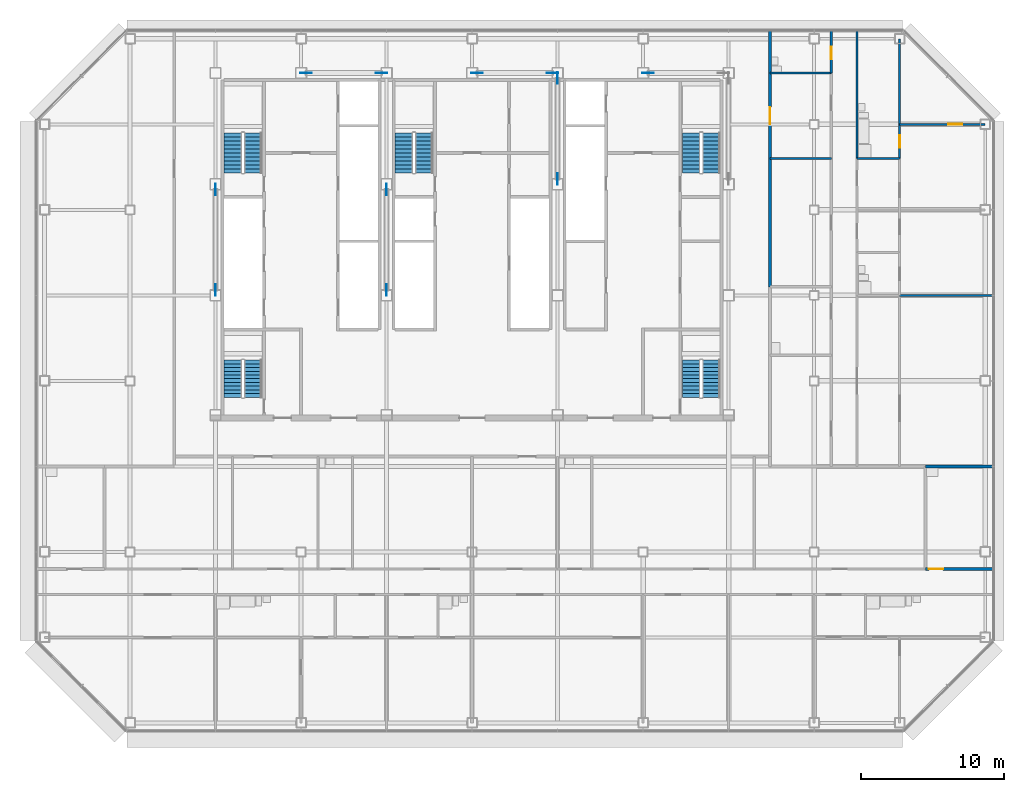
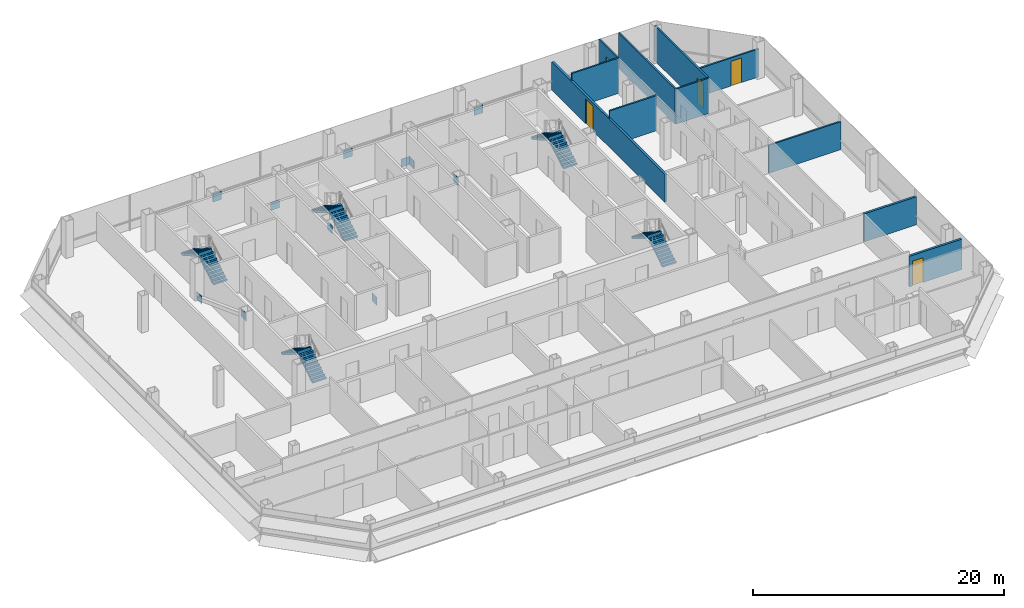
# One storey, part 23 of 26: 11 discrete accessories, 11 walls, 10 stair flights, 5 doors, 5 openings, 5 elements without a shape of their own.
"""IFC4 building model written with IfcOpenShell, lengths in metres."""

from ifc_helpers import new_model, si_unit, direction, frame, frame_2d, origin, origin_2d, place, context, subcontext, project, spatial, polyline, rectangle, outline, extrude, material, layer, layer_set, type_object, element, fill, aggregate, save


model = new_model("IFC4")

# Units and contexts
model_context = context("Model", 3, precision=1e-05, world=origin(), true_north=direction((0.0, 1.0)))
body_context = subcontext(model_context, "Body", "Model", "MODEL_VIEW")
ifc_project = project(units=[si_unit("LENGTHUNIT", "METRE"), si_unit("AREAUNIT", "SQUARE_METRE"), si_unit("VOLUMEUNIT", "CUBIC_METRE"), si_unit("PLANEANGLEUNIT", "RADIAN"), si_unit("MASSUNIT", "GRAM", prefix="KILO")], contexts=[model_context])

# Site, building, storey
site_placement = place(None, origin())
site = spatial("IfcSite", under=ifc_project, at=site_placement, CompositionType="ELEMENT")
building_placement = place(site_placement, origin())
building = spatial("IfcBuilding", under=site, at=building_placement, Name="Sorahane Residences", CompositionType="ELEMENT")
storey_placement = place(building_placement, frame((0.0, 0.0, 147.39990234375)))
storey = spatial("IfcBuildingStorey", under=building, at=storey_placement, Name="L33", CompositionType="ELEMENT", Elevation=147.39990234375)

# Wall, opening, door
ifc_material_1 = material(Name="Concrete blockwork C20 wall", Category="masonry")
ifc_layer_1 = layer(ifc_material_1, 0.199951171875)
ifc_layer_set_1 = layer_set([ifc_layer_1], Name="Corridor wall 200 EI 120")
wall_type_1 = type_object("IfcWallType", Name="Corridor wall 200 EI 120", PredefinedType="SOLIDWALL", material=ifc_layer_set_1)
wall_1_placement = place(storey_placement, frame((44.89990234375, 30.60009765625, 0.0), z_axis=(0.0, 0.0, 1.0), x_axis=(0.0, 1.0, 0.0)))
wall_1 = element("IfcWall", 1, at=wall_1_placement, inside=storey, type_object=wall_type_1, Name="L33 corridor wall", PredefinedType="SOLIDWALL", context=body_context, shape_type="SweptSolid", body=[
    extrude(rectangle(XDim=18.0, YDim=0.199951171875, at=frame_2d((9.0, 0.0))), origin(), (0.0, 0.0, 1.0), 2.72021484375),
])
opening_1_placement = place(wall_1_placement, frame((11.39990234375, 0.0, 0.0)))
opening_1 = element("IfcOpeningElement", 2, at=opening_1_placement, cuts=wall_1, Name="Opening L33-44", PredefinedType="OPENING", context=body_context, shape_type="SweptSolid", body=[
    extrude(rectangle(XDim=1.199951171875, YDim=2.39990234375, at=frame_2d((0.60009765625, 1.199951171875))), frame((0.0, 0.10986328125, 0.0), z_axis=(0.0, -1.0, 0.0), x_axis=(1.0, 0.0, 0.0)), (0.0, 0.0, 1.0), 0.219970703125),
])
ifc_material_2 = material(Name="Timber veneered fire door", Category="wood")
door_type_1 = type_object("IfcDoorType", Name="Flat entrance door 1200x2400 FD60", OperationType="NOTDEFINED", PredefinedType="DOOR", material=ifc_material_2)
door_1_placement = place(opening_1_placement, frame((1.199951171875, 0.0, 0.0), z_axis=(0.0, 0.0, 1.0), x_axis=(-1.0, 0.0, 0.0)))
door_1 = element("IfcDoor", 3, at=door_1_placement, inside=storey, type_object=door_type_1, Name="Flat entrance door L33-44", OperationType="SINGLE_SWING_LEFT", OverallHeight=2.39990234375, OverallWidth=1.199951171875, PredefinedType="DOOR", context=body_context, shape_type="SweptSolid", body=[
    extrude(rectangle(XDim=1.199951171875, YDim=2.39990234375, at=frame_2d((0.60009765625, 1.199951171875))), frame((0.0, 0.02490234375, 0.0), z_axis=(0.0, -1.0, 0.0), x_axis=(1.0, 0.0, 0.0)), (0.0, 0.0, 1.0), 0.050048828125),
])
fill(opening_1, door_1)

ifc_material_3 = material(Name="Concrete blockwork C20 wall", Category="masonry")
ifc_layer_2 = layer(ifc_material_3, 0.199951171875)
ifc_layer_set_2 = layer_set([ifc_layer_2], Name="Kitchen wall 200 EI 180")
wall_type_2 = type_object("IfcWallType", Name="Kitchen wall 200 EI 180", PredefinedType="SOLIDWALL", material=ifc_layer_set_2)
wall_2_placement = place(storey_placement, frame((55.800048828125, 10.800048828125, 0.0), z_axis=(0.0, 0.0, 1.0), x_axis=(1.0, 0.0, 0.0)))
wall_2 = element("IfcWall", 4, at=wall_2_placement, inside=storey, type_object=wall_type_2, Name="L33 kitchen wall", PredefinedType="SOLIDWALL", context=body_context, shape_type="SweptSolid", body=[
    extrude(rectangle(XDim=4.800048828125, YDim=0.199951171875, at=frame_2d((2.39990234375, 0.0))), origin(), (0.0, 0.0, 1.0), 2.97021484375),
])
opening_2_placement = place(wall_2_placement, frame((0.25, 0.0, 0.0)))
opening_2 = element("IfcOpeningElement", 5, at=opening_2_placement, cuts=wall_2, Name="Opening L33-19", PredefinedType="OPENING", context=body_context, shape_type="SweptSolid", body=[
    extrude(rectangle(XDim=1.0, YDim=2.39990234375, at=frame_2d((0.5, 1.199951171875))), frame((0.0, 0.10986328125, 0.0), z_axis=(0.0, -1.0, 0.0), x_axis=(1.0, 0.0, 0.0)), (0.0, 0.0, 1.0), 0.219970703125),
])
ifc_material_4 = material(Name="Steel", Category="steel")
door_type_2 = type_object("IfcDoorType", Name="Kitchen door 1000x2400 FD120", OperationType="NOTDEFINED", PredefinedType="DOOR", material=ifc_material_4)
door_2_placement = place(opening_2_placement, origin())
door_2 = element("IfcDoor", 6, at=door_2_placement, inside=storey, type_object=door_type_2, Name="Kitchen door L33-19", OperationType="SINGLE_SWING_RIGHT", OverallHeight=2.39990234375, OverallWidth=1.0, PredefinedType="DOOR", context=body_context, shape_type="SweptSolid", body=[
    extrude(rectangle(XDim=1.0, YDim=2.39990234375, at=frame_2d((0.5, 1.199951171875))), frame((0.0, 0.02490234375, 0.0), z_axis=(0.0, -1.0, 0.0), x_axis=(1.0, 0.0, 0.0)), (0.0, 0.0, 1.0), 0.050048828125),
])
fill(opening_2, door_2)

# Walls
wall_3_placement = place(storey_placement, frame((55.800048828125, 18.0, 0.0), z_axis=(0.0, 0.0, 1.0), x_axis=(1.0, 0.0, 0.0)))
element("IfcWall", 7, at=wall_3_placement, inside=storey, type_object=wall_type_2, Name="L33 kitchen wall", PredefinedType="SOLIDWALL", context=body_context, shape_type="SweptSolid", body=[
    extrude(rectangle(XDim=4.800048828125, YDim=0.199951171875, at=frame_2d((2.39990234375, 0.0))), origin(), (0.0, 0.0, 1.0), 2.72021484375),
])
ifc_material_5 = material(Name="Gypsum board partition on steel studs", Category="steel")
ifc_layer_3 = layer(ifc_material_5, 0.14990234375)
ifc_layer_set_3 = layer_set([ifc_layer_3], Name="Partition 150 EI 90")
wall_type_3 = type_object("IfcWallType", Name="Partition 150 EI 90", PredefinedType="PARTITIONING", material=ifc_layer_set_3)
wall_4_placement = place(storey_placement, frame((54.0, 30.0, 0.0), z_axis=(0.0, 0.0, 1.0), x_axis=(1.0, 0.0, 0.0)))
element("IfcWall", 8, at=wall_4_placement, inside=storey, type_object=wall_type_3, Name="L33 partition", PredefinedType="PARTITIONING", context=body_context, shape_type="SweptSolid", body=[
    extrude(rectangle(XDim=6.60009765625, YDim=0.14990234375, at=frame_2d((3.300048828125, 0.0))), origin(), (0.0, 0.0, 1.0), 2.72021484375),
])
wall_5_placement = place(storey_placement, frame((44.89990234375, 39.60009765625, 0.0), z_axis=(0.0, 0.0, 1.0), x_axis=(1.0, 0.0, 0.0)))
element("IfcWall", 9, at=wall_5_placement, inside=storey, type_object=wall_type_3, Name="L33 partition", PredefinedType="PARTITIONING", context=body_context, shape_type="SweptSolid", body=[
    extrude(rectangle(XDim=4.300048828125, YDim=0.14990234375, at=frame_2d((2.14990234375, 0.0))), origin(), (0.0, 0.0, 1.0), 3.420166015625),
])

# Wall, opening, door
wall_6_placement = place(storey_placement, frame((54.0, 42.0, 0.0), z_axis=(0.0, 0.0, 1.0), x_axis=(1.0, 0.0, 0.0)))
wall_6 = element("IfcWall", 10, at=wall_6_placement, inside=storey, type_object=wall_type_3, Name="L33 partition", PredefinedType="PARTITIONING", context=body_context, shape_type="SweptSolid", body=[
    extrude(rectangle(XDim=6.0, YDim=0.14990234375, at=frame_2d((3.0, 0.0))), origin(), (0.0, 0.0, 1.0), 2.72021484375),
])
opening_3_placement = place(wall_6_placement, frame((3.39990234375, 0.0, 0.0)))
opening_3 = element("IfcOpeningElement", 11, at=opening_3_placement, cuts=wall_6, Name="Opening L33-40", PredefinedType="OPENING", context=body_context, shape_type="SweptSolid", body=[
    extrude(rectangle(XDim=1.0, YDim=2.39990234375, at=frame_2d((0.5, 1.199951171875))), frame((0.0, 0.0849609375, 0.0), z_axis=(0.0, -1.0, 0.0), x_axis=(1.0, 0.0, 0.0)), (0.0, 0.0, 1.0), 0.169921875),
])
ifc_material_6 = material(Name="Timber veneered fire door", Category="wood")
door_type_3 = type_object("IfcDoorType", Name="Room door 1000x2400 FD30", OperationType="NOTDEFINED", PredefinedType="DOOR", material=ifc_material_6)
door_3_placement = place(opening_3_placement, origin())
door_3 = element("IfcDoor", 12, at=door_3_placement, inside=storey, type_object=door_type_3, Name="Room door L33-40", OperationType="SINGLE_SWING_LEFT", OverallHeight=2.39990234375, OverallWidth=1.0, PredefinedType="DOOR", context=body_context, shape_type="SweptSolid", body=[
    extrude(rectangle(XDim=1.0, YDim=2.39990234375, at=frame_2d((0.5, 1.199951171875))), frame((0.0, 0.02490234375, 0.0), z_axis=(0.0, -1.0, 0.0), x_axis=(1.0, 0.0, 0.0)), (0.0, 0.0, 1.0), 0.050048828125),
])
fill(opening_3, door_3)

ifc_material_7 = material(Name="Gypsum board partition on steel studs", Category="steel")
ifc_layer_4 = layer(ifc_material_7, 0.14990234375)
ifc_layer_set_4 = layer_set([ifc_layer_4], Name="Wet wall 150 EI 90")
wall_type_4 = type_object("IfcWallType", Name="Wet wall 150 EI 90", PredefinedType="PARTITIONING", material=ifc_layer_set_4)
wall_7_placement = place(storey_placement, frame((49.199951171875, 45.60009765625, 0.0), z_axis=(0.0, 0.0, 1.0), x_axis=(0.0, 1.0, 0.0)))
wall_7 = element("IfcWall", 13, at=wall_7_placement, inside=storey, type_object=wall_type_4, Name="L33 wet wall", PredefinedType="PARTITIONING", context=body_context, shape_type="SweptSolid", body=[
    extrude(rectangle(XDim=3.0, YDim=0.14990234375, at=frame_2d((1.5, 0.0))), origin(), (0.0, 0.0, 1.0), 3.420166015625),
])
opening_4_placement = place(wall_7_placement, frame((0.949951171875, 0.0, 0.0)))
opening_4 = element("IfcOpeningElement", 14, at=opening_4_placement, cuts=wall_7, Name="Opening L33-32", PredefinedType="OPENING", context=body_context, shape_type="SweptSolid", body=[
    extrude(rectangle(XDim=0.89990234375, YDim=2.39990234375, at=frame_2d((0.449951171875, 1.199951171875))), frame((0.0, 0.0849609375, 0.0), z_axis=(0.0, -1.0, 0.0), x_axis=(1.0, 0.0, 0.0)), (0.0, 0.0, 1.0), 0.169921875),
])
ifc_material_8 = material(Name="Timber veneered fire door", Category="wood")
door_type_4 = type_object("IfcDoorType", Name="Bathroom door 900x2400 FD30", OperationType="NOTDEFINED", PredefinedType="DOOR", material=ifc_material_8)
door_4_placement = place(opening_4_placement, frame((0.89990234375, 0.0, 0.0), z_axis=(0.0, 0.0, 1.0), x_axis=(-1.0, 0.0, 0.0)))
door_4 = element("IfcDoor", 15, at=door_4_placement, inside=storey, type_object=door_type_4, Name="Bathroom door L33-32", OperationType="SINGLE_SWING_LEFT", OverallHeight=2.39990234375, OverallWidth=0.89990234375, PredefinedType="DOOR", context=body_context, shape_type="SweptSolid", body=[
    extrude(rectangle(XDim=0.89990234375, YDim=2.39990234375, at=frame_2d((0.449951171875, 1.199951171875))), frame((0.0, 0.02490234375, 0.0), z_axis=(0.0, -1.0, 0.0), x_axis=(1.0, 0.0, 0.0)), (0.0, 0.0, 1.0), 0.050048828125),
])
fill(opening_4, door_4)

# Wall
wall_8_placement = place(storey_placement, frame((51.0, 39.60009765625, 0.0), z_axis=(0.0, 0.0, 1.0), x_axis=(0.0, 1.0, 0.0)))
element("IfcWall", 16, at=wall_8_placement, inside=storey, type_object=wall_type_4, Name="L33 wet wall", PredefinedType="PARTITIONING", context=body_context, shape_type="SweptSolid", body=[
    extrude(rectangle(XDim=9.0, YDim=0.14990234375, at=frame_2d((4.5, 0.0))), origin(), (0.0, 0.0, 1.0), 3.420166015625),
])

# Wall, opening, door
wall_9_placement = place(storey_placement, frame((54.0, 39.60009765625, 0.0), z_axis=(0.0, 0.0, 1.0), x_axis=(0.0, 1.0, 0.0)))
wall_9 = element("IfcWall", 17, at=wall_9_placement, inside=storey, type_object=wall_type_4, Name="L33 wet wall", PredefinedType="PARTITIONING", context=body_context, shape_type="SweptSolid", body=[
    extrude(rectangle(XDim=8.39990234375, YDim=0.14990234375, at=frame_2d((4.199951171875, 0.0))), origin(), (0.0, 0.0, 1.0), 3.420166015625),
])
opening_5_placement = place(wall_9_placement, frame((0.75, 0.0, 0.0)))
opening_5 = element("IfcOpeningElement", 18, at=opening_5_placement, cuts=wall_9, Name="Opening L33-41", PredefinedType="OPENING", context=body_context, shape_type="SweptSolid", body=[
    extrude(rectangle(XDim=0.89990234375, YDim=2.39990234375, at=frame_2d((0.449951171875, 1.199951171875))), frame((0.0, 0.0849609375, 0.0), z_axis=(0.0, -1.0, 0.0), x_axis=(1.0, 0.0, 0.0)), (0.0, 0.0, 1.0), 0.169921875),
])
door_5_placement = place(opening_5_placement, frame((0.89990234375, 0.0, 0.0), z_axis=(0.0, 0.0, 1.0), x_axis=(-1.0, 0.0, 0.0)))
door_5 = element("IfcDoor", 19, at=door_5_placement, inside=storey, type_object=door_type_4, Name="Bathroom door L33-41", OperationType="SINGLE_SWING_RIGHT", OverallHeight=2.39990234375, OverallWidth=0.89990234375, PredefinedType="DOOR", context=body_context, shape_type="SweptSolid", body=[
    extrude(rectangle(XDim=0.89990234375, YDim=2.39990234375, at=frame_2d((0.449951171875, 1.199951171875))), frame((0.0, 0.02490234375, 0.0), z_axis=(0.0, -1.0, 0.0), x_axis=(1.0, 0.0, 0.0)), (0.0, 0.0, 1.0), 0.050048828125),
])
fill(opening_5, door_5)

# Walls
wall_10_placement = place(storey_placement, frame((51.0, 39.60009765625, 0.0), z_axis=(0.0, 0.0, 1.0), x_axis=(1.0, 0.0, 0.0)))
element("IfcWall", 20, at=wall_10_placement, inside=storey, type_object=wall_type_4, Name="L33 wet wall", PredefinedType="PARTITIONING", context=body_context, shape_type="SweptSolid", body=[
    extrude(rectangle(XDim=3.0, YDim=0.14990234375, at=frame_2d((1.5, 0.0))), origin(), (0.0, 0.0, 1.0), 3.420166015625),
])
wall_11_placement = place(storey_placement, frame((44.89990234375, 45.60009765625, 0.0), z_axis=(0.0, 0.0, 1.0), x_axis=(1.0, 0.0, 0.0)))
element("IfcWall", 21, at=wall_11_placement, inside=storey, type_object=wall_type_4, Name="L33 wet wall", PredefinedType="PARTITIONING", context=body_context, shape_type="SweptSolid", body=[
    extrude(rectangle(XDim=4.300048828125, YDim=0.14990234375, at=frame_2d((2.14990234375, 0.0))), origin(), (0.0, 0.0, 1.0), 3.420166015625),
])

# Stair, stair flights
ifc_material_9 = material(Name="Concrete C40", Category="concrete")
stair_type = type_object("IfcStairType", Name="Dog-leg stair 1250 Concrete C40", PredefinedType="HALF_TURN_STAIR", material=ifc_material_9)
stair_1_placement = place(storey_placement, origin())
stair_1 = element("IfcStair", 22, at=stair_1_placement, inside=storey, type_object=stair_type, Name="L33 Stair S1", PredefinedType="HALF_TURN_STAIR")
ifc_material_10 = material(Name="Concrete C40", Category="concrete")
stair_flight_type = type_object("IfcStairFlightType", Name="Stair flight 1250 Concrete C40", PredefinedType="STRAIGHT", material=ifc_material_10)
stair_flight_1_placement = place(storey_placement, frame((8.625, 38.60009765625, 0.0), z_axis=(0.0, 0.0, 1.0), x_axis=(0.0, 1.0, 0.0)))
stair_flight_1 = element("IfcStairFlight", 23, at=stair_flight_1_placement, type_object=stair_flight_type, Name="S1 flight 1", NumberOfRisers=11, NumberOfTreads=10, PredefinedType="STRAIGHT", RiserHeight=0.163636364, TreadLength=0.28, context=body_context, shape_type="SweptSolid", body=[
    extrude(outline(polyline([(-0.00146484375, 0.0), (-0.00146484375, 0.16357421875), (0.0, 0.16357421875), (0.280029296875, 0.16357421875), (0.280029296875, 0.327392578125), (0.56005859375, 0.327392578125), (0.56005859375, 0.490966796875), (0.840087890625, 0.490966796875), (0.840087890625, 0.654541015625), (1.1201171875, 0.654541015625), (1.1201171875, 0.818115234375), (1.39990234375, 0.818115234375), (1.39990234375, 0.98193359375), (1.679931640625, 0.98193359375), (1.679931640625, 1.1455078125), (1.9599609375, 1.1455078125), (1.9599609375, 1.30908203125), (2.239990234375, 1.30908203125), (2.239990234375, 1.47265625), (2.52001953125, 1.47265625), (2.52001953125, 1.636474609375), (2.800048828125, 1.636474609375), (2.800048828125, 1.800048828125), (2.800048828125, 1.462646484375), (2.59130859375, 1.3408203125), (2.3828125, 1.218994140625), (2.17431640625, 1.09716796875), (1.965576171875, 0.97509765625), (1.757080078125, 0.853271484375), (1.548583984375, 0.7314453125), (1.340087890625, 0.609375), (1.13134765625, 0.487548828125), (0.9228515625, 0.36572265625), (0.71435546875, 0.243896484375), (0.505615234375, 0.121826171875), (0.297119140625, 0.0), (-0.00146484375, 0.0)])), frame((0.0, 0.625, 0.0), z_axis=(0.0, -1.0, 0.0), x_axis=(1.0, 0.0, 0.0)), (0.0, 0.0, 1.0), 1.25),
])
stair_flight_2_placement = place(storey_placement, frame((7.22509765625, 41.39990234375, 1.800048828125), z_axis=(0.0, 0.0, 1.0), x_axis=(0.0, -1.0, 0.0)))
stair_flight_2 = element("IfcStairFlight", 24, at=stair_flight_2_placement, type_object=stair_flight_type, Name="S1 flight 2", NumberOfRisers=11, NumberOfTreads=10, PredefinedType="STRAIGHT", RiserHeight=0.163636364, TreadLength=0.28, context=body_context, shape_type="SweptSolid", body=[
    extrude(outline(polyline([(0.0, 0.0), (0.0, 0.16357421875), (0.280029296875, 0.16357421875), (0.280029296875, 0.327392578125), (0.56005859375, 0.327392578125), (0.56005859375, 0.490966796875), (0.840087890625, 0.490966796875), (0.840087890625, 0.654541015625), (1.1201171875, 0.654541015625), (1.1201171875, 0.818115234375), (1.39990234375, 0.818115234375), (1.39990234375, 0.98193359375), (1.679931640625, 0.98193359375), (1.679931640625, 1.1455078125), (1.9599609375, 1.1455078125), (1.9599609375, 1.30908203125), (2.239990234375, 1.30908203125), (2.239990234375, 1.47265625), (2.52001953125, 1.47265625), (2.52001953125, 1.636474609375), (2.800048828125, 1.636474609375), (2.800048828125, 1.800048828125), (2.801513671875, 1.800048828125), (2.801513671875, 1.462646484375), (2.5927734375, 1.3408203125), (2.384033203125, 1.218994140625), (2.17529296875, 1.09716796875), (1.966796875, 0.97509765625), (1.758056640625, 0.853271484375), (1.54931640625, 0.7314453125), (1.340576171875, 0.609375), (1.1318359375, 0.487548828125), (0.923095703125, 0.36572265625), (0.714599609375, 0.243896484375), (0.505859375, 0.121826171875), (0.297119140625, 0.0), (0.0, 0.0)])), frame((0.0, 0.625, 0.0), z_axis=(0.0, -1.0, 0.0), x_axis=(1.0, 0.0, 0.0)), (0.0, 0.0, 1.0), 1.25),
])
aggregate(stair_1, [stair_flight_1, stair_flight_2])

stair_2_placement = place(storey_placement, origin())
stair_2 = element("IfcStair", 25, at=stair_2_placement, inside=storey, type_object=stair_type, Name="L33 Stair S2", PredefinedType="HALF_TURN_STAIR")
stair_flight_3_placement = place(storey_placement, frame((40.77490234375, 38.60009765625, 0.0), z_axis=(0.0, 0.0, 1.0), x_axis=(0.0, 1.0, 0.0)))
stair_flight_3 = element("IfcStairFlight", 26, at=stair_flight_3_placement, type_object=stair_flight_type, Name="S2 flight 1", NumberOfRisers=11, NumberOfTreads=10, PredefinedType="STRAIGHT", RiserHeight=0.163636364, TreadLength=0.28, context=body_context, shape_type="SweptSolid", body=[
    extrude(outline(polyline([(-0.00146484375, 0.0), (-0.00146484375, 0.16357421875), (0.0, 0.16357421875), (0.280029296875, 0.16357421875), (0.280029296875, 0.327392578125), (0.56005859375, 0.327392578125), (0.56005859375, 0.490966796875), (0.840087890625, 0.490966796875), (0.840087890625, 0.654541015625), (1.1201171875, 0.654541015625), (1.1201171875, 0.818115234375), (1.39990234375, 0.818115234375), (1.39990234375, 0.98193359375), (1.679931640625, 0.98193359375), (1.679931640625, 1.1455078125), (1.9599609375, 1.1455078125), (1.9599609375, 1.30908203125), (2.239990234375, 1.30908203125), (2.239990234375, 1.47265625), (2.52001953125, 1.47265625), (2.52001953125, 1.636474609375), (2.800048828125, 1.636474609375), (2.800048828125, 1.800048828125), (2.800048828125, 1.462646484375), (2.59130859375, 1.3408203125), (2.3828125, 1.218994140625), (2.17431640625, 1.09716796875), (1.965576171875, 0.97509765625), (1.757080078125, 0.853271484375), (1.548583984375, 0.7314453125), (1.340087890625, 0.609375), (1.13134765625, 0.487548828125), (0.9228515625, 0.36572265625), (0.71435546875, 0.243896484375), (0.505615234375, 0.121826171875), (0.297119140625, 0.0), (-0.00146484375, 0.0)])), frame((0.0, 0.625, 0.0), z_axis=(0.0, -1.0, 0.0), x_axis=(1.0, 0.0, 0.0)), (0.0, 0.0, 1.0), 1.25),
])
stair_flight_4_placement = place(storey_placement, frame((39.375, 41.39990234375, 1.800048828125), z_axis=(0.0, 0.0, 1.0), x_axis=(0.0, -1.0, 0.0)))
stair_flight_4 = element("IfcStairFlight", 27, at=stair_flight_4_placement, type_object=stair_flight_type, Name="S2 flight 2", NumberOfRisers=11, NumberOfTreads=10, PredefinedType="STRAIGHT", RiserHeight=0.163636364, TreadLength=0.28, context=body_context, shape_type="SweptSolid", body=[
    extrude(outline(polyline([(0.0, 0.0), (0.0, 0.16357421875), (0.280029296875, 0.16357421875), (0.280029296875, 0.327392578125), (0.56005859375, 0.327392578125), (0.56005859375, 0.490966796875), (0.840087890625, 0.490966796875), (0.840087890625, 0.654541015625), (1.1201171875, 0.654541015625), (1.1201171875, 0.818115234375), (1.39990234375, 0.818115234375), (1.39990234375, 0.98193359375), (1.679931640625, 0.98193359375), (1.679931640625, 1.1455078125), (1.9599609375, 1.1455078125), (1.9599609375, 1.30908203125), (2.239990234375, 1.30908203125), (2.239990234375, 1.47265625), (2.52001953125, 1.47265625), (2.52001953125, 1.636474609375), (2.800048828125, 1.636474609375), (2.800048828125, 1.800048828125), (2.801513671875, 1.800048828125), (2.801513671875, 1.462646484375), (2.5927734375, 1.3408203125), (2.384033203125, 1.218994140625), (2.17529296875, 1.09716796875), (1.966796875, 0.97509765625), (1.758056640625, 0.853271484375), (1.54931640625, 0.7314453125), (1.340576171875, 0.609375), (1.1318359375, 0.487548828125), (0.923095703125, 0.36572265625), (0.714599609375, 0.243896484375), (0.505859375, 0.121826171875), (0.297119140625, 0.0), (0.0, 0.0)])), frame((0.0, 0.625, 0.0), z_axis=(0.0, -1.0, 0.0), x_axis=(1.0, 0.0, 0.0)), (0.0, 0.0, 1.0), 1.25),
])
aggregate(stair_2, [stair_flight_3, stair_flight_4])

stair_3_placement = place(storey_placement, origin())
stair_3 = element("IfcStair", 28, at=stair_3_placement, inside=storey, type_object=stair_type, Name="L33 Stair S3", PredefinedType="HALF_TURN_STAIR")
stair_flight_5_placement = place(storey_placement, frame((20.625, 38.60009765625, 0.0), z_axis=(0.0, 0.0, 1.0), x_axis=(0.0, 1.0, 0.0)))
stair_flight_5 = element("IfcStairFlight", 29, at=stair_flight_5_placement, type_object=stair_flight_type, Name="S3 flight 1", NumberOfRisers=11, NumberOfTreads=10, PredefinedType="STRAIGHT", RiserHeight=0.163636364, TreadLength=0.28, context=body_context, shape_type="SweptSolid", body=[
    extrude(outline(polyline([(-0.00146484375, 0.0), (-0.00146484375, 0.16357421875), (0.0, 0.16357421875), (0.280029296875, 0.16357421875), (0.280029296875, 0.327392578125), (0.56005859375, 0.327392578125), (0.56005859375, 0.490966796875), (0.840087890625, 0.490966796875), (0.840087890625, 0.654541015625), (1.1201171875, 0.654541015625), (1.1201171875, 0.818115234375), (1.39990234375, 0.818115234375), (1.39990234375, 0.98193359375), (1.679931640625, 0.98193359375), (1.679931640625, 1.1455078125), (1.9599609375, 1.1455078125), (1.9599609375, 1.30908203125), (2.239990234375, 1.30908203125), (2.239990234375, 1.47265625), (2.52001953125, 1.47265625), (2.52001953125, 1.636474609375), (2.800048828125, 1.636474609375), (2.800048828125, 1.800048828125), (2.800048828125, 1.462646484375), (2.59130859375, 1.3408203125), (2.3828125, 1.218994140625), (2.17431640625, 1.09716796875), (1.965576171875, 0.97509765625), (1.757080078125, 0.853271484375), (1.548583984375, 0.7314453125), (1.340087890625, 0.609375), (1.13134765625, 0.487548828125), (0.9228515625, 0.36572265625), (0.71435546875, 0.243896484375), (0.505615234375, 0.121826171875), (0.297119140625, 0.0), (-0.00146484375, 0.0)])), frame((0.0, 0.625, 0.0), z_axis=(0.0, -1.0, 0.0), x_axis=(1.0, 0.0, 0.0)), (0.0, 0.0, 1.0), 1.25),
])
stair_flight_6_placement = place(storey_placement, frame((19.22509765625, 41.39990234375, 1.800048828125), z_axis=(0.0, 0.0, 1.0), x_axis=(0.0, -1.0, 0.0)))
stair_flight_6 = element("IfcStairFlight", 30, at=stair_flight_6_placement, type_object=stair_flight_type, Name="S3 flight 2", NumberOfRisers=11, NumberOfTreads=10, PredefinedType="STRAIGHT", RiserHeight=0.163636364, TreadLength=0.28, context=body_context, shape_type="SweptSolid", body=[
    extrude(outline(polyline([(0.0, 0.0), (0.0, 0.16357421875), (0.280029296875, 0.16357421875), (0.280029296875, 0.327392578125), (0.56005859375, 0.327392578125), (0.56005859375, 0.490966796875), (0.840087890625, 0.490966796875), (0.840087890625, 0.654541015625), (1.1201171875, 0.654541015625), (1.1201171875, 0.818115234375), (1.39990234375, 0.818115234375), (1.39990234375, 0.98193359375), (1.679931640625, 0.98193359375), (1.679931640625, 1.1455078125), (1.9599609375, 1.1455078125), (1.9599609375, 1.30908203125), (2.239990234375, 1.30908203125), (2.239990234375, 1.47265625), (2.52001953125, 1.47265625), (2.52001953125, 1.636474609375), (2.800048828125, 1.636474609375), (2.800048828125, 1.800048828125), (2.801513671875, 1.800048828125), (2.801513671875, 1.462646484375), (2.5927734375, 1.3408203125), (2.384033203125, 1.218994140625), (2.17529296875, 1.09716796875), (1.966796875, 0.97509765625), (1.758056640625, 0.853271484375), (1.54931640625, 0.7314453125), (1.340576171875, 0.609375), (1.1318359375, 0.487548828125), (0.923095703125, 0.36572265625), (0.714599609375, 0.243896484375), (0.505859375, 0.121826171875), (0.297119140625, 0.0), (0.0, 0.0)])), frame((0.0, 0.625, 0.0), z_axis=(0.0, -1.0, 0.0), x_axis=(1.0, 0.0, 0.0)), (0.0, 0.0, 1.0), 1.25),
])
aggregate(stair_3, [stair_flight_5, stair_flight_6])

stair_4_placement = place(storey_placement, origin())
stair_4 = element("IfcStair", 31, at=stair_4_placement, inside=storey, type_object=stair_type, Name="L33 Stair S4", PredefinedType="HALF_TURN_STAIR")
stair_flight_7_placement = place(storey_placement, frame((8.625, 22.85009765625, 0.0), z_axis=(0.0, 0.0, 1.0), x_axis=(0.0, 1.0, 0.0)))
stair_flight_7 = element("IfcStairFlight", 32, at=stair_flight_7_placement, type_object=stair_flight_type, Name="S4 flight 1", NumberOfRisers=11, NumberOfTreads=10, PredefinedType="STRAIGHT", RiserHeight=0.163636364, TreadLength=0.26, context=body_context, shape_type="SweptSolid", body=[
    extrude(outline(polyline([(-0.00146484375, 0.0), (-0.00146484375, 0.16357421875), (0.0, 0.16357421875), (0.260009765625, 0.16357421875), (0.260009765625, 0.327392578125), (0.52001953125, 0.327392578125), (0.52001953125, 0.490966796875), (0.780029296875, 0.490966796875), (0.780029296875, 0.654541015625), (1.0400390625, 0.654541015625), (1.0400390625, 0.818115234375), (1.300048828125, 0.818115234375), (1.300048828125, 0.98193359375), (1.56005859375, 0.98193359375), (1.56005859375, 1.1455078125), (1.820068359375, 1.1455078125), (1.820068359375, 1.30908203125), (2.080078125, 1.30908203125), (2.080078125, 1.47265625), (2.340087890625, 1.47265625), (2.340087890625, 1.636474609375), (2.60009765625, 1.636474609375), (2.60009765625, 1.800048828125), (2.60009765625, 1.494384765625), (2.402099609375, 1.369873046875), (2.204345703125, 1.245361328125), (2.00634765625, 1.120849609375), (1.80859375, 0.996337890625), (1.610595703125, 0.871826171875), (1.412841796875, 0.747314453125), (1.21484375, 0.622802734375), (1.01708984375, 0.498046875), (0.819091796875, 0.37353515625), (0.621337890625, 0.2490234375), (0.42333984375, 0.12451171875), (0.2255859375, 0.0), (-0.00146484375, 0.0)])), frame((0.0, 0.625, 0.0), z_axis=(0.0, -1.0, 0.0), x_axis=(1.0, 0.0, 0.0)), (0.0, 0.0, 1.0), 1.25),
])
stair_flight_8_placement = place(storey_placement, frame((7.22509765625, 25.449951171875, 1.800048828125), z_axis=(0.0, 0.0, 1.0), x_axis=(0.0, -1.0, 0.0)))
stair_flight_8 = element("IfcStairFlight", 33, at=stair_flight_8_placement, type_object=stair_flight_type, Name="S4 flight 2", NumberOfRisers=11, NumberOfTreads=10, PredefinedType="STRAIGHT", RiserHeight=0.163636364, TreadLength=0.26, context=body_context, shape_type="SweptSolid", body=[
    extrude(outline(polyline([(0.0, 0.0), (0.0, 0.16357421875), (0.260009765625, 0.16357421875), (0.260009765625, 0.327392578125), (0.52001953125, 0.327392578125), (0.52001953125, 0.490966796875), (0.780029296875, 0.490966796875), (0.780029296875, 0.654541015625), (1.0400390625, 0.654541015625), (1.0400390625, 0.818115234375), (1.300048828125, 0.818115234375), (1.300048828125, 0.98193359375), (1.56005859375, 0.98193359375), (1.56005859375, 1.1455078125), (1.820068359375, 1.1455078125), (1.820068359375, 1.30908203125), (2.080078125, 1.30908203125), (2.080078125, 1.47265625), (2.340087890625, 1.47265625), (2.340087890625, 1.636474609375), (2.60009765625, 1.636474609375), (2.60009765625, 1.800048828125), (2.6015625, 1.800048828125), (2.6015625, 1.494384765625), (2.403564453125, 1.369873046875), (2.20556640625, 1.245361328125), (2.007568359375, 1.120849609375), (1.8095703125, 0.996337890625), (1.611572265625, 0.871826171875), (1.41357421875, 0.747314453125), (1.215576171875, 0.622802734375), (1.017578125, 0.498046875), (0.819580078125, 0.37353515625), (0.62158203125, 0.2490234375), (0.423583984375, 0.12451171875), (0.2255859375, 0.0), (0.0, 0.0)])), frame((0.0, 0.625, 0.0), z_axis=(0.0, -1.0, 0.0), x_axis=(1.0, 0.0, 0.0)), (0.0, 0.0, 1.0), 1.25),
])
aggregate(stair_4, [stair_flight_7, stair_flight_8])

stair_5_placement = place(storey_placement, origin())
stair_5 = element("IfcStair", 34, at=stair_5_placement, inside=storey, type_object=stair_type, Name="L33 Stair S5", PredefinedType="HALF_TURN_STAIR")
stair_flight_9_placement = place(storey_placement, frame((40.77490234375, 22.85009765625, 0.0), z_axis=(0.0, 0.0, 1.0), x_axis=(0.0, 1.0, 0.0)))
stair_flight_9 = element("IfcStairFlight", 35, at=stair_flight_9_placement, type_object=stair_flight_type, Name="S5 flight 1", NumberOfRisers=11, NumberOfTreads=10, PredefinedType="STRAIGHT", RiserHeight=0.163636364, TreadLength=0.26, context=body_context, shape_type="SweptSolid", body=[
    extrude(outline(polyline([(-0.00146484375, 0.0), (-0.00146484375, 0.16357421875), (0.0, 0.16357421875), (0.260009765625, 0.16357421875), (0.260009765625, 0.327392578125), (0.52001953125, 0.327392578125), (0.52001953125, 0.490966796875), (0.780029296875, 0.490966796875), (0.780029296875, 0.654541015625), (1.0400390625, 0.654541015625), (1.0400390625, 0.818115234375), (1.300048828125, 0.818115234375), (1.300048828125, 0.98193359375), (1.56005859375, 0.98193359375), (1.56005859375, 1.1455078125), (1.820068359375, 1.1455078125), (1.820068359375, 1.30908203125), (2.080078125, 1.30908203125), (2.080078125, 1.47265625), (2.340087890625, 1.47265625), (2.340087890625, 1.636474609375), (2.60009765625, 1.636474609375), (2.60009765625, 1.800048828125), (2.60009765625, 1.494384765625), (2.402099609375, 1.369873046875), (2.204345703125, 1.245361328125), (2.00634765625, 1.120849609375), (1.80859375, 0.996337890625), (1.610595703125, 0.871826171875), (1.412841796875, 0.747314453125), (1.21484375, 0.622802734375), (1.01708984375, 0.498046875), (0.819091796875, 0.37353515625), (0.621337890625, 0.2490234375), (0.42333984375, 0.12451171875), (0.2255859375, 0.0), (-0.00146484375, 0.0)])), frame((0.0, 0.625, 0.0), z_axis=(0.0, -1.0, 0.0), x_axis=(1.0, 0.0, 0.0)), (0.0, 0.0, 1.0), 1.25),
])
stair_flight_10_placement = place(storey_placement, frame((39.375, 25.449951171875, 1.800048828125), z_axis=(0.0, 0.0, 1.0), x_axis=(0.0, -1.0, 0.0)))
stair_flight_10 = element("IfcStairFlight", 36, at=stair_flight_10_placement, type_object=stair_flight_type, Name="S5 flight 2", NumberOfRisers=11, NumberOfTreads=10, PredefinedType="STRAIGHT", RiserHeight=0.163636364, TreadLength=0.26, context=body_context, shape_type="SweptSolid", body=[
    extrude(outline(polyline([(0.0, 0.0), (0.0, 0.16357421875), (0.260009765625, 0.16357421875), (0.260009765625, 0.327392578125), (0.52001953125, 0.327392578125), (0.52001953125, 0.490966796875), (0.780029296875, 0.490966796875), (0.780029296875, 0.654541015625), (1.0400390625, 0.654541015625), (1.0400390625, 0.818115234375), (1.300048828125, 0.818115234375), (1.300048828125, 0.98193359375), (1.56005859375, 0.98193359375), (1.56005859375, 1.1455078125), (1.820068359375, 1.1455078125), (1.820068359375, 1.30908203125), (2.080078125, 1.30908203125), (2.080078125, 1.47265625), (2.340087890625, 1.47265625), (2.340087890625, 1.636474609375), (2.60009765625, 1.636474609375), (2.60009765625, 1.800048828125), (2.6015625, 1.800048828125), (2.6015625, 1.494384765625), (2.403564453125, 1.369873046875), (2.20556640625, 1.245361328125), (2.007568359375, 1.120849609375), (1.8095703125, 0.996337890625), (1.611572265625, 0.871826171875), (1.41357421875, 0.747314453125), (1.215576171875, 0.622802734375), (1.017578125, 0.498046875), (0.819580078125, 0.37353515625), (0.62158203125, 0.2490234375), (0.423583984375, 0.12451171875), (0.2255859375, 0.0), (0.0, 0.0)])), frame((0.0, 0.625, 0.0), z_axis=(0.0, -1.0, 0.0), x_axis=(1.0, 0.0, 0.0)), (0.0, 0.0, 1.0), 1.25),
])
aggregate(stair_5, [stair_flight_9, stair_flight_10])

# Discrete accessories
ifc_material_11 = material(Name="Steel Q355B", Category="steel")
ifc_layer_5 = layer(ifc_material_11, 0.02490234375)
ifc_layer_set_5 = layer_set([ifc_layer_5], Name="Node plate Steel Q355B 25")
discrete_accessory_type = type_object("IfcDiscreteAccessoryType", Name="Node plate Steel Q355B 25", PredefinedType="BRACKET", material=ifc_layer_set_5)
for number, where, z_axis, x_axis, name in (
    (37, (6.0, 37.436767578125, -0.23876953125), (0.0, 0.0, 1.0), (0.0, 1.0, 0.0), "Node plate L33 br"),
    (38, (6.0, 30.36328125, 2.40869140625), (0.0, 0.0, 1.0), (0.0, 1.0, 0.0), "Node plate L33 br"),
    (39, (18.0, 30.36328125, -0.23876953125), (0.0, 0.0, 1.0), (0.0, 1.0, 0.0), "Node plate L33 br"),
    (40, (18.0, 37.436767578125, 2.40869140625), (0.0, 0.0, 1.0), (0.0, 1.0, 0.0), "Node plate L33 br"),
    (41, (30.0, 45.23681640625, -0.23876953125), (0.0, 0.0, 1.0), (0.0, 1.0, 0.0), "Node plate L33 br"),
    (42, (30.0, 38.1630859375, 2.40869140625), (0.0, 0.0, 1.0), (0.0, 1.0, 0.0), "Node plate L33 br"),
    (43, (17.647216796875, 45.60009765625, -0.24853515625), (0.0, 0.0, 1.0), (1.0, 0.0, 0.0), "Node plate L33 br"),
    (44, (29.647216796875, 45.60009765625, -0.24853515625), (0.0, 0.0, 1.0), (1.0, 0.0, 0.0), "Node plate L33 br"),
    (45, (12.352783203125, 45.60009765625, 2.4189453125), (0.0, 0.0, 1.0), (1.0, 0.0, 0.0), "Node plate L33 br"),
    (46, (24.352783203125, 45.60009765625, 2.4189453125), (0.0, 0.0, 1.0), (1.0, 0.0, 0.0), "Node plate L33 br"),
    (47, (36.352783203125, 45.60009765625, 2.4189453125), (0.0, 0.0, 1.0), (1.0, 0.0, 0.0), "Node plate L33 br"),
):
    element("IfcDiscreteAccessory", number, at=place(storey_placement, frame(where, z_axis=z_axis, x_axis=x_axis)), inside=storey, type_object=discrete_accessory_type, Name=name, PredefinedType="BRACKET", context=body_context, shape_type="SweptSolid", body=[
        extrude(rectangle(XDim=0.800048828125, YDim=0.02490234375, at=origin_2d()), origin(), (0.0, 0.0, 1.0), 0.800048828125),
    ])

save(model, "model.ifc")
